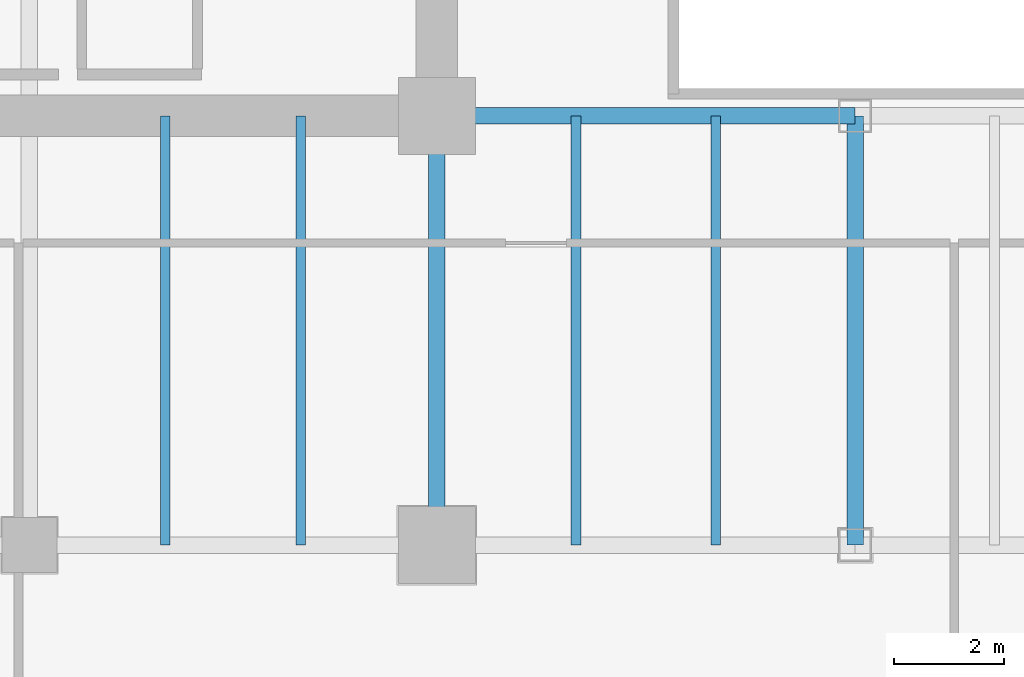
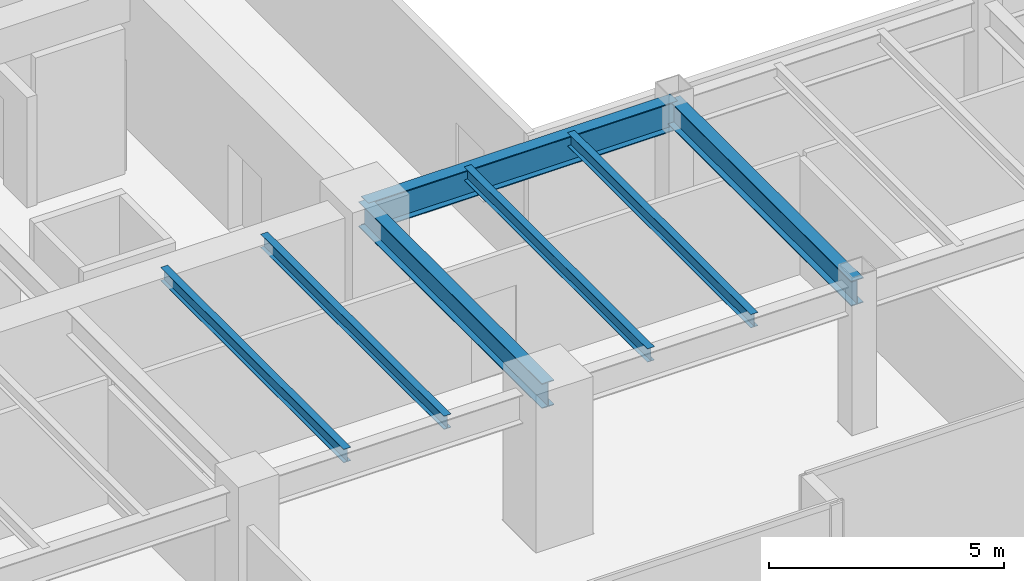
# One storey, part 5 of 37: 7 beams.
"""IFC4 building model written with IfcOpenShell, lengths in metres."""

from ifc_helpers import new_model, si_unit, direction, frame, origin, origin_2d, place, context, subcontext, project, spatial, i_section, extrude, source, transform, mapped, material, material_profile, profile_set, type_object, type_shapes, element, save


model = new_model("IFC4")

# Units and contexts
model_context = context("Model", 3, precision=1e-05, world=origin(), true_north=direction((0.0, 1.0)))
body_context = subcontext(model_context, "Body", "Model", "MODEL_VIEW")
ifc_project = project(units=[si_unit("LENGTHUNIT", "METRE"), si_unit("AREAUNIT", "SQUARE_METRE"), si_unit("VOLUMEUNIT", "CUBIC_METRE"), si_unit("PLANEANGLEUNIT", "RADIAN"), si_unit("MASSUNIT", "GRAM", prefix="KILO")], contexts=[model_context])

# Site, building, storey
site_placement = place(None, origin())
site = spatial("IfcSite", under=ifc_project, at=site_placement, CompositionType="ELEMENT")
building_placement = place(site_placement, origin())
building = spatial("IfcBuilding", under=site, at=building_placement, Name="Haelvirn Gate Laboratories", CompositionType="ELEMENT")
storey_placement = place(building_placement, frame((0.0, 0.0, 78.5)))
storey = spatial("IfcBuildingStorey", under=building, at=storey_placement, Name="L19", CompositionType="ELEMENT", Elevation=78.5)

# Beams
ifc_material = material(Name="Steel SM355", Category="steel")
ifc_material_profile_1 = material_profile(ifc_material, i_section(OverallWidth=0.300048828125, OverallDepth=0.75, WebThickness=0.013916015625, FlangeThickness=0.02392578125, at=origin_2d()), Name="H-750x300x14x24")
ifc_profile_set_1 = profile_set([ifc_material_profile_1], Name="Steel SM355")
beam_type_1 = type_object("IfcBeamType", Name="BM-G-750", PredefinedType="BEAM", material=ifc_profile_set_1)
shared_shape_1 = source(origin(), body_context, "Body", "SweptSolid", [
    extrude(i_section(OverallWidth=0.300048828125, OverallDepth=0.75, WebThickness=0.013916015625, FlangeThickness=0.02392578125, at=origin_2d()), origin(), (0.0, 0.0, 1.0), 7.60009765625),
])
type_shapes(beam_type_1, [shared_shape_1])
beam_placement = place(storey_placement, frame((22.199951171875, 14.800048828125, 3.405029296875), z_axis=(1.0, 0.0, 0.0), x_axis=(0.0, 1.0, 0.0)))
element("IfcBeam", 1, at=beam_placement, inside=storey, type_object=beam_type_1, Name="L19 Primary Girder Y14.8 (22.2-29.8)", PredefinedType="BEAM", context=body_context, shape_type="MappedRepresentation", body=[
    mapped(shared_shape_1, transform((0.0, 0.0, 0.0), scale=1.0)),
])
ifc_material_profile_2 = material_profile(ifc_material, i_section(OverallWidth=0.175048828125, OverallDepth=0.35009765625, WebThickness=0.007080078125, FlangeThickness=0.010986328125, at=origin_2d()), Name="H-350x175x7x11")
ifc_profile_set_2 = profile_set([ifc_material_profile_2], Name="Steel SM355")
beam_type_2 = type_object("IfcBeamType", Name="BM-J-350", PredefinedType="JOIST", material=ifc_profile_set_2)
shared_shape_2 = source(origin(), body_context, "Body", "SweptSolid", [
    extrude(i_section(OverallWidth=0.175048828125, OverallDepth=0.35009765625, WebThickness=0.007080078125, FlangeThickness=0.010986328125, at=origin_2d()), origin(), (0.0, 0.0, 1.0), 7.800048828125),
])
type_shapes(beam_type_2, [shared_shape_2])
for number, where, z_axis, x_axis, name in (
    (2, (17.27001953125, 7.0, 3.60498046875), (0.0, 1.0, 0.0), (-1.0, 0.0, 0.0), "L19 Composite Lab Joist South X17.27"),
    (3, (19.72998046875, 7.0, 3.60498046875), (0.0, 1.0, 0.0), (-1.0, 0.0, 0.0), "L19 Composite Lab Joist South X19.73"),
    (4, (24.72998046875, 7.0, 3.60498046875), (0.0, 1.0, 0.0), (-1.0, 0.0, 0.0), "L19 Composite Lab Joist South X24.73"),
    (5, (27.27001953125, 7.0, 3.60498046875), (0.0, 1.0, 0.0), (-1.0, 0.0, 0.0), "L19 Composite Lab Joist South X27.27"),
):
    element("IfcBeam", number, at=place(storey_placement, frame(where, z_axis=z_axis, x_axis=x_axis)), inside=storey, type_object=beam_type_2, Name=name, PredefinedType="JOIST", context=body_context, shape_type="MappedRepresentation", body=[
        mapped(shared_shape_2, transform((0.0, 0.0, 0.0), scale=1.0)),
    ])
ifc_material_profile_3 = material_profile(ifc_material, i_section(OverallWidth=0.300048828125, OverallDepth=0.64990234375, WebThickness=0.012939453125, FlangeThickness=0.02197265625, at=origin_2d()), Name="H-650x300x13x22")
ifc_profile_set_3 = profile_set([ifc_material_profile_3], Name="Steel SM355")
beam_type_3 = type_object("IfcBeamType", Name="BM-G-650", PredefinedType="BEAM", material=ifc_profile_set_3)
shared_shape_3 = source(origin(), body_context, "Body", "SweptSolid", [
    extrude(i_section(OverallWidth=0.300048828125, OverallDepth=0.64990234375, WebThickness=0.012939453125, FlangeThickness=0.02197265625, at=origin_2d()), origin(), (0.0, 0.0, 1.0), 7.800048828125),
])
type_shapes(beam_type_3, [shared_shape_3])
for number, where, z_axis, x_axis, name in (
    (6, (22.199951171875, 7.0, 3.455078125), (0.0, 1.0, 0.0), (-1.0, 0.0, 0.0), "L19 Frame Girder X22.2 (7.0-14.8)"),
    (7, (29.800048828125, 7.0, 3.455078125), (0.0, 1.0, 0.0), (-1.0, 0.0, 0.0), "L19 Frame Girder X29.8 (7.0-14.8)"),
):
    element("IfcBeam", number, at=place(storey_placement, frame(where, z_axis=z_axis, x_axis=x_axis)), inside=storey, type_object=beam_type_3, Name=name, PredefinedType="BEAM", context=body_context, shape_type="MappedRepresentation", body=[
        mapped(shared_shape_3, transform((0.0, 0.0, 0.0), scale=1.0)),
    ])

save(model, "model.ifc")
